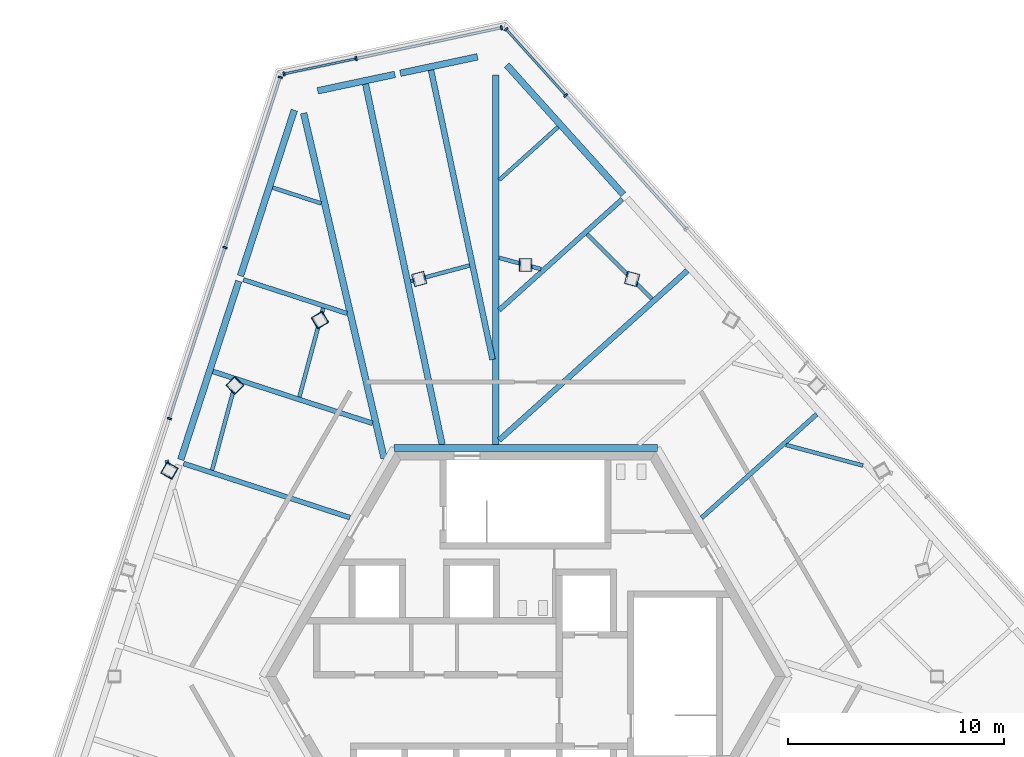
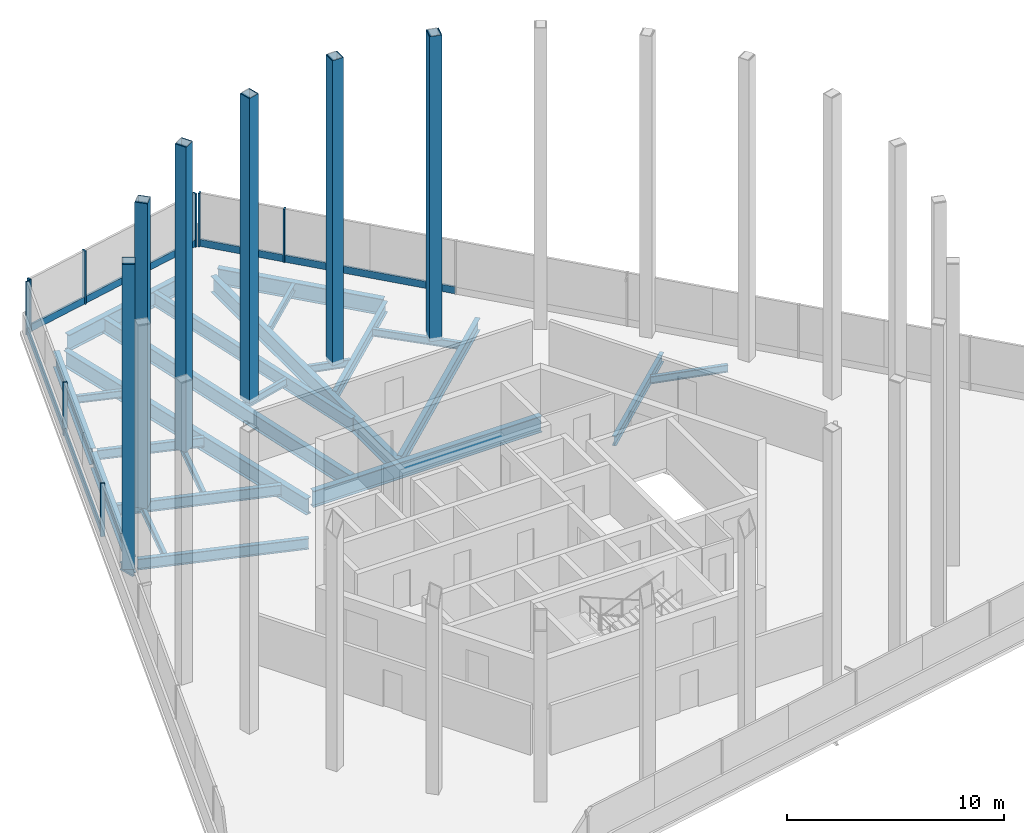
# One storey, part 4 of 11: 25 beams, 20 members, 3 elements without a shape of their own.
"""IFC4 building model written with IfcOpenShell, lengths in metres."""

from ifc_helpers import new_model, si_unit, direction, frame, origin, origin_2d, place, context, subcontext, project, spatial, rectangle, hollow_rectangle, i_section, extrude, source, transform, mapped, material, material_profile, profile_set, type_object, element, aggregate, save


model = new_model("IFC4")

# Units and contexts
model_context = context("Model", 3, precision=1e-05, world=origin(), true_north=direction((0.0, 1.0)))
body_context = subcontext(model_context, "Body", "Model", "MODEL_VIEW")
ifc_project = project(units=[si_unit("LENGTHUNIT", "METRE"), si_unit("AREAUNIT", "SQUARE_METRE"), si_unit("VOLUMEUNIT", "CUBIC_METRE"), si_unit("PLANEANGLEUNIT", "RADIAN"), si_unit("MASSUNIT", "GRAM", prefix="KILO")], contexts=[model_context])

# Site, building, storey
site_placement = place(None, origin())
site = spatial("IfcSite", under=ifc_project, at=site_placement, CompositionType="ELEMENT")
building_placement = place(site_placement, origin())
building = spatial("IfcBuilding", under=site, at=building_placement, Name="Triune Harvest Tower", CompositionType="ELEMENT")
storey_placement = place(building_placement, frame((0.0, 0.0, 296.699951171875)))
storey = spatial("IfcBuildingStorey", under=building, at=storey_placement, Name="L78", CompositionType="ELEMENT", Elevation=296.699951171875)

# Beams
ifc_material_1 = material(Name="Steel ASTM A992 Gr 50", Category="steel")
ifc_material_profile_1 = material_profile(ifc_material_1, i_section(OverallWidth=0.180908203125, OverallDepth=0.41650390625, WebThickness=0.010986328125, FlangeThickness=0.01806640625, at=origin_2d()), Name="W16x57")
ifc_profile_set_1 = profile_set([ifc_material_profile_1], Name="Steel ASTM A992 Gr 50")
beam_type_1 = type_object("IfcBeamType", Name="JT-1 Floor joist W16x57", PredefinedType="JOIST", material=ifc_profile_set_1)
beam_1_placement = place(storey_placement, frame((5.833251953125, 17.43701171875, -0.408203125), z_axis=(-0.707106781187, 0.707106781187, 0.0), x_axis=(-0.707106781187, -0.707106781187, 0.0)))
element("IfcBeam", 1, at=beam_1_placement, inside=storey, type_object=beam_type_1, Name="beam/L78/CR7", PredefinedType="JOIST", context=body_context, shape_type="SweptSolid", body=[
    extrude(i_section(OverallWidth=0.180908203125, OverallDepth=0.41650390625, WebThickness=0.010986328125, FlangeThickness=0.01806640625, at=origin_2d()), origin(), (0.0, 0.0, 1.0), 4.22802734375),
])
beam_2_placement = place(storey_placement, frame((0.706298828125, 18.810791015625, -0.408203125), z_axis=(-0.965924061689, 0.258825630592, 0.0), x_axis=(-0.258825630592, -0.965924061689, 0.0)))
element("IfcBeam", 2, at=beam_2_placement, inside=storey, type_object=beam_type_1, Name="beam/L78/CR8", PredefinedType="JOIST", context=body_context, shape_type="SweptSolid", body=[
    extrude(i_section(OverallWidth=0.180908203125, OverallDepth=0.41650390625, WebThickness=0.010986328125, FlangeThickness=0.01806640625, at=origin_2d()), origin(), (0.0, 0.0, 1.0), 1.998779296875),
])
beam_3_placement = place(storey_placement, frame((-2.588623046875, 18.9765625, -0.408203125), z_axis=(-0.965933743444, -0.258789496069, 0.0), x_axis=(0.258789496069, -0.965933743444, 0.0)))
element("IfcBeam", 3, at=beam_3_placement, inside=storey, type_object=beam_type_1, Name="beam/L78/CR9", PredefinedType="JOIST", context=body_context, shape_type="SweptSolid", body=[
    extrude(i_section(OverallWidth=0.180908203125, OverallDepth=0.41650390625, WebThickness=0.010986328125, FlangeThickness=0.01806640625, at=origin_2d()), origin(), (0.0, 0.0, 1.0), 2.81787109375),
])
ifc_material_2 = material(Name="Steel ASTM A992 Gr 50", Category="steel")
ifc_material_profile_2 = material_profile(ifc_material_2, i_section(OverallWidth=0.3046875, OverallDepth=0.914306640625, WebThickness=0.0166015625, FlangeThickness=0.02587890625, at=origin_2d()), Name="W36x160")
ifc_profile_set_2 = profile_set([ifc_material_profile_2], Name="Steel ASTM A992 Gr 50")
beam_type_2 = type_object("IfcBeamType", Name="CG-1 Core ring girder W36x160", PredefinedType="BEAM", material=ifc_profile_set_2)
shared_shape_1 = source(origin(), body_context, "Body", "SweptSolid", [
    extrude(i_section(OverallWidth=0.3046875, OverallDepth=0.914306640625, WebThickness=0.0166015625, FlangeThickness=0.02587890625, at=origin_2d()), origin(), (0.0, 0.0, 1.0), 12.17578125),
])
beam_4_placement = place(storey_placement, frame((6.087890625, 10.544677734375, -0.6572265625), z_axis=(-1.0, 0.0, 0.0), x_axis=(0.0, -1.0, 0.0)))
element("IfcBeam", 4, at=beam_4_placement, inside=storey, type_object=beam_type_2, Name="beam/L78/CG2", PredefinedType="BEAM", context=body_context, shape_type="MappedRepresentation", body=[
    mapped(shared_shape_1, transform((0.0, 0.0, 0.0), scale=1.0)),
])
ifc_material_3 = material(Name="Steel ASTM A992 Gr 50", Category="steel")
ifc_material_profile_3 = material_profile(ifc_material_3, i_section(OverallWidth=0.3046875, OverallDepth=0.914306640625, WebThickness=0.0166015625, FlangeThickness=0.02587890625, at=origin_2d()), Name="W36x160")
ifc_profile_set_3 = profile_set([ifc_material_profile_3], Name="Steel ASTM A992 Gr 50")
beam_type_3 = type_object("IfcBeamType", Name="SB-1 Spandrel beam W36x160", PredefinedType="SPANDREL", material=ifc_profile_set_3)
shared_shape_2 = source(origin(), body_context, "Body", "SweptSolid", [
    extrude(i_section(OverallWidth=0.3046875, OverallDepth=0.914306640625, WebThickness=0.0166015625, FlangeThickness=0.02587890625, at=origin_2d()), origin(), (0.0, 0.0, 1.0), 8.0498046875),
])
for number, where, z_axis, x_axis, name in (
    (5, (4.511474609375, 22.25537109375, -0.6572265625), (-0.669152382485, 0.743125217588, 0.0), (-0.743125217588, -0.669152382485, 0.0), "beam/L78/SB5"),
    (6, (-10.685791015625, 26.152099609375, -0.6572265625), (-0.30902160762, -0.951055017348, 0.0), (0.951055017348, -0.30902160762, 0.0), "beam/L78/SB8"),
):
    element("IfcBeam", number, at=place(storey_placement, frame(where, z_axis=z_axis, x_axis=x_axis)), inside=storey, type_object=beam_type_3, Name=name, PredefinedType="SPANDREL", context=body_context, shape_type="MappedRepresentation", body=[
        mapped(shared_shape_2, transform((0.0, 0.0, 0.0), scale=1.0)),
    ])
shared_shape_3 = source(origin(), body_context, "Body", "SweptSolid", [
    extrude(i_section(OverallWidth=0.3046875, OverallDepth=0.914306640625, WebThickness=0.0166015625, FlangeThickness=0.02587890625, at=origin_2d()), origin(), (0.0, 0.0, 1.0), 8.67138671875),
])
beam_5_placement = place(storey_placement, frame((-13.252685546875, 18.25244140625, -0.6572265625), z_axis=(-0.309022409974, -0.951054756643, 0.0), x_axis=(0.951054756643, -0.309022409974, 0.0)))
element("IfcBeam", 7, at=beam_5_placement, inside=storey, type_object=beam_type_3, Name="beam/L78/SB9", PredefinedType="SPANDREL", context=body_context, shape_type="MappedRepresentation", body=[
    mapped(shared_shape_3, transform((0.0, 0.0, 0.0), scale=1.0)),
])
shared_shape_4 = source(origin(), body_context, "Body", "SweptSolid", [
    extrude(i_section(OverallWidth=0.3046875, OverallDepth=0.914306640625, WebThickness=0.0166015625, FlangeThickness=0.02587890625, at=origin_2d()), origin(), (0.0, 0.0, 1.0), 3.645751953125),
])
beam_6_placement = place(storey_placement, frame((-2.223876953125, 28.61474609375, -0.6572265625), z_axis=(-0.978145063506, -0.207923627178, 0.0), x_axis=(0.207923627178, -0.978145063506, 0.0)))
element("IfcBeam", 8, at=beam_6_placement, inside=storey, type_object=beam_type_3, Name="beam/L78/SB6", PredefinedType="SPANDREL", context=body_context, shape_type="MappedRepresentation", body=[
    mapped(shared_shape_4, transform((0.0, 0.0, 0.0), scale=1.0)),
])
shared_shape_5 = source(origin(), body_context, "Body", "SweptSolid", [
    extrude(i_section(OverallWidth=0.3046875, OverallDepth=0.914306640625, WebThickness=0.0166015625, FlangeThickness=0.02587890625, at=origin_2d()), origin(), (0.0, 0.0, 1.0), 3.6455078125),
])
beam_7_placement = place(storey_placement, frame((-6.041015625, 27.803466796875, -0.6572265625), z_axis=(-0.978142168213, -0.207937247179, 0.0), x_axis=(0.207937247179, -0.978142168213, 0.0)))
element("IfcBeam", 9, at=beam_7_placement, inside=storey, type_object=beam_type_3, Name="beam/L78/SB7", PredefinedType="SPANDREL", context=body_context, shape_type="MappedRepresentation", body=[
    mapped(shared_shape_5, transform((0.0, 0.0, 0.0), scale=1.0)),
])
ifc_material_4 = material(Name="Steel ASTM A992 Gr 50", Category="steel")
ifc_material_profile_4 = material_profile(ifc_material_4, i_section(OverallWidth=0.3046875, OverallDepth=0.914306640625, WebThickness=0.0166015625, FlangeThickness=0.02587890625, at=origin_2d()), Name="W36x160")
ifc_profile_set_4 = profile_set([ifc_material_profile_4], Name="Steel ASTM A992 Gr 50")
beam_type_4 = type_object("IfcBeamType", Name="HG-3 Hip girder W36x160", PredefinedType="BEAM", material=ifc_profile_set_4)
shared_shape_6 = source(origin(), body_context, "Body", "SweptSolid", [
    extrude(i_section(OverallWidth=0.3046875, OverallDepth=0.914306640625, WebThickness=0.0166015625, FlangeThickness=0.02587890625, at=origin_2d()), origin(), (0.0, 0.0, 1.0), 17.088623046875),
])
beam_8_placement = place(storey_placement, frame((-1.376708984375, 27.78564453125, -0.6572265625), z_axis=(0.0, -1.0, 0.0), x_axis=(1.0, 0.0, 0.0)))
element("IfcBeam", 10, at=beam_8_placement, inside=storey, type_object=beam_type_4, Name="beam/L78/HG2", PredefinedType="BEAM", context=body_context, shape_type="MappedRepresentation", body=[
    mapped(shared_shape_6, transform((0.0, 0.0, 0.0), scale=1.0)),
])
shared_shape_7 = source(origin(), body_context, "Body", "SweptSolid", [
    extrude(i_section(OverallWidth=0.3046875, OverallDepth=0.914306640625, WebThickness=0.0166015625, FlangeThickness=0.02587890625, at=origin_2d()), origin(), (0.0, 0.0, 1.0), 16.37060546875),
])
beam_9_placement = place(storey_placement, frame((-10.255126953125, 26.01220703125, -0.6572265625), z_axis=(0.227026417792, -0.973888600213, 0.0), x_axis=(0.973888600213, 0.227026417792, 0.0)))
element("IfcBeam", 11, at=beam_9_placement, inside=storey, type_object=beam_type_4, Name="beam/L78/HG3", PredefinedType="BEAM", context=body_context, shape_type="MappedRepresentation", body=[
    mapped(shared_shape_7, transform((0.0, 0.0, 0.0), scale=1.0)),
])
ifc_material_5 = material(Name="Steel ASTM A992 Gr 50", Category="steel")
ifc_material_profile_5 = material_profile(ifc_material_5, i_section(OverallWidth=0.22900390625, OverallDepth=0.612060546875, WebThickness=0.011962890625, FlangeThickness=0.01953125, at=origin_2d()), Name="W24x84")
ifc_profile_set_5 = profile_set([ifc_material_profile_5], Name="Steel ASTM A992 Gr 50")
beam_type_5 = type_object("IfcBeamType", Name="JT-3 Floor joist W24x84", PredefinedType="JOIST", material=ifc_profile_set_5)
shared_shape_8 = source(origin(), body_context, "Body", "SweptSolid", [
    extrude(i_section(OverallWidth=0.22900390625, OverallDepth=0.612060546875, WebThickness=0.011962890625, FlangeThickness=0.01953125, at=origin_2d()), origin(), (0.0, 0.0, 1.0), 7.755126953125),
])
beam_10_placement = place(storey_placement, frame((-14.447509765625, 14.081787109375, -0.506103515625), z_axis=(0.951054888115, -0.309022005354, 0.0), x_axis=(0.309022005354, 0.951054888115, 0.0)))
element("IfcBeam", 12, at=beam_10_placement, inside=storey, type_object=beam_type_5, Name="beam/L78/JT14", PredefinedType="JOIST", context=body_context, shape_type="MappedRepresentation", body=[
    mapped(shared_shape_8, transform((0.0, 0.0, 0.0), scale=1.0)),
])
ifc_material_6 = material(Name="Steel ASTM A992 Gr 50", Category="steel")
ifc_material_profile_6 = material_profile(ifc_material_6, i_section(OverallWidth=0.2099609375, OverallDepth=0.535888671875, WebThickness=0.010986328125, FlangeThickness=0.017333984375, at=origin_2d()), Name="W21x68")
ifc_profile_set_6 = profile_set([ifc_material_profile_6], Name="Steel ASTM A992 Gr 50")
beam_type_6 = type_object("IfcBeamType", Name="JT-2 Floor joist W21x68", PredefinedType="JOIST", material=ifc_profile_set_6)
shared_shape_9 = source(origin(), body_context, "Body", "SweptSolid", [
    extrude(i_section(OverallWidth=0.2099609375, OverallDepth=0.535888671875, WebThickness=0.010986328125, FlangeThickness=0.017333984375, at=origin_2d()), origin(), (0.0, 0.0, 1.0), 7.155517578125),
])
beam_11_placement = place(storey_placement, frame((13.44482421875, 12.105712890625, -0.468017578125), z_axis=(-0.743139743978, -0.669136249892, 0.0), x_axis=(0.669136249892, -0.743139743978, 0.0)))
element("IfcBeam", 13, at=beam_11_placement, inside=storey, type_object=beam_type_6, Name="beam/L78/JT5", PredefinedType="JOIST", context=body_context, shape_type="MappedRepresentation", body=[
    mapped(shared_shape_9, transform((0.0, 0.0, 0.0), scale=1.0)),
])
ifc_material_7 = material(Name="Steel ASTM A992 Gr 50", Category="steel")
ifc_material_profile_7 = material_profile(ifc_material_7, i_section(OverallWidth=0.253662109375, OverallDepth=0.683349609375, WebThickness=0.012451171875, FlangeThickness=0.01904296875, at=origin_2d()), Name="W27x94")
ifc_profile_set_7 = profile_set([ifc_material_profile_7], Name="Steel ASTM A992 Gr 50")
beam_type_7 = type_object("IfcBeamType", Name="JT-4 Floor joist W27x94", PredefinedType="JOIST", material=ifc_profile_set_7)
shared_shape_10 = source(origin(), body_context, "Body", "SweptSolid", [
    extrude(i_section(OverallWidth=0.253662109375, OverallDepth=0.683349609375, WebThickness=0.012451171875, FlangeThickness=0.01904296875, at=origin_2d()), origin(), (0.0, 0.0, 1.0), 11.70068359375),
])
beam_12_placement = place(storey_placement, frame((7.470947265625, 18.740478515625, -0.54150390625), z_axis=(-0.743153026809, -0.669121497745, 0.0), x_axis=(0.669121497745, -0.743153026809, 0.0)))
element("IfcBeam", 14, at=beam_12_placement, inside=storey, type_object=beam_type_7, Name="beam/L78/JT7", PredefinedType="JOIST", context=body_context, shape_type="MappedRepresentation", body=[
    mapped(shared_shape_10, transform((0.0, 0.0, 0.0), scale=1.0)),
])
shared_shape_11 = source(origin(), body_context, "Body", "SweptSolid", [
    extrude(i_section(OverallWidth=0.22900390625, OverallDepth=0.612060546875, WebThickness=0.011962890625, FlangeThickness=0.01953125, at=origin_2d()), origin(), (0.0, 0.0, 1.0), 7.6533203125),
])
beam_13_placement = place(storey_placement, frame((4.463134765625, 22.039306640625, -0.506103515625), z_axis=(-0.74314185307, -0.669133907537, 0.0), x_axis=(0.669133907537, -0.74314185307, 0.0)))
element("IfcBeam", 15, at=beam_13_placement, inside=storey, type_object=beam_type_5, Name="beam/L78/JT8", PredefinedType="JOIST", context=body_context, shape_type="MappedRepresentation", body=[
    mapped(shared_shape_11, transform((0.0, 0.0, 0.0), scale=1.0)),
])
shared_shape_12 = source(origin(), body_context, "Body", "SweptSolid", [
    extrude(i_section(OverallWidth=0.180908203125, OverallDepth=0.41650390625, WebThickness=0.010986328125, FlangeThickness=0.01806640625, at=origin_2d()), origin(), (0.0, 0.0, 1.0), 3.661865234375),
])
beam_14_placement = place(storey_placement, frame((1.496826171875, 25.37548828125, -0.408203125), z_axis=(-0.743108471823, -0.669170978977, 0.0), x_axis=(0.669170978977, -0.743108471823, 0.0)))
element("IfcBeam", 16, at=beam_14_placement, inside=storey, type_object=beam_type_1, Name="beam/L78/JT9", PredefinedType="JOIST", context=body_context, shape_type="MappedRepresentation", body=[
    mapped(shared_shape_12, transform((0.0, 0.0, 0.0), scale=1.0)),
])
ifc_material_8 = material(Name="Steel ASTM A992 Gr 50", Category="steel")
ifc_material_profile_8 = material_profile(ifc_material_8, i_section(OverallWidth=0.2666015625, OverallDepth=0.7568359375, WebThickness=0.013916015625, FlangeThickness=0.019287109375, at=origin_2d()), Name="W30x108")
ifc_profile_set_8 = profile_set([ifc_material_profile_8], Name="Steel ASTM A992 Gr 50")
beam_type_8 = type_object("IfcBeamType", Name="JT-5 Floor joist W30x108", PredefinedType="JOIST", material=ifc_profile_set_8)
shared_shape_13 = source(origin(), body_context, "Body", "SweptSolid", [
    extrude(i_section(OverallWidth=0.2666015625, OverallDepth=0.7568359375, WebThickness=0.013916015625, FlangeThickness=0.019287109375, at=origin_2d()), origin(), (0.0, 0.0, 1.0), 13.66796875),
])
beam_15_placement = place(storey_placement, frame((-4.370849609375, 28.002685546875, -0.578369140625), z_axis=(0.207897850023, -0.978150542583, 0.0), x_axis=(0.978150542583, 0.207897850023, 0.0)))
element("IfcBeam", 17, at=beam_15_placement, inside=storey, type_object=beam_type_8, Name="beam/L78/JT10", PredefinedType="JOIST", context=body_context, shape_type="MappedRepresentation", body=[
    mapped(shared_shape_13, transform((0.0, 0.0, 0.0), scale=1.0)),
])
ifc_material_9 = material(Name="Steel ASTM A992 Gr 50", Category="steel")
ifc_material_profile_9 = material_profile(ifc_material_9, i_section(OverallWidth=0.2919921875, OverallDepth=0.8408203125, WebThickness=0.0146484375, FlangeThickness=0.021728515625, at=origin_2d()), Name="W33x130")
ifc_profile_set_9 = profile_set([ifc_material_profile_9], Name="Steel ASTM A992 Gr 50")
beam_type_9 = type_object("IfcBeamType", Name="JT-6 Floor joist W33x130", PredefinedType="JOIST", material=ifc_profile_set_9)
shared_shape_14 = source(origin(), body_context, "Body", "SweptSolid", [
    extrude(i_section(OverallWidth=0.2919921875, OverallDepth=0.8408203125, WebThickness=0.0146484375, FlangeThickness=0.021728515625, at=origin_2d()), origin(), (0.0, 0.0, 1.0), 17.034912109375),
])
beam_16_placement = place(storey_placement, frame((-7.396728515625, 27.359619140625, -0.620361328125), z_axis=(0.207911891923, -0.978147557988, 0.0), x_axis=(0.978147557988, 0.207911891923, 0.0)))
element("IfcBeam", 18, at=beam_16_placement, inside=storey, type_object=beam_type_9, Name="beam/L78/JT11", PredefinedType="JOIST", context=body_context, shape_type="MappedRepresentation", body=[
    mapped(shared_shape_14, transform((0.0, 0.0, 0.0), scale=1.0)),
])
shared_shape_15 = source(origin(), body_context, "Body", "SweptSolid", [
    extrude(i_section(OverallWidth=0.180908203125, OverallDepth=0.41650390625, WebThickness=0.010986328125, FlangeThickness=0.01806640625, at=origin_2d()), origin(), (0.0, 0.0, 1.0), 2.36474609375),
])
beam_17_placement = place(storey_placement, frame((-11.688720703125, 22.57275390625, -0.408203125), z_axis=(0.951061378221, -0.309002030505, 0.0), x_axis=(0.309002030505, 0.951061378221, 0.0)))
element("IfcBeam", 19, at=beam_17_placement, inside=storey, type_object=beam_type_1, Name="beam/L78/JT12", PredefinedType="JOIST", context=body_context, shape_type="MappedRepresentation", body=[
    mapped(shared_shape_15, transform((0.0, 0.0, 0.0), scale=1.0)),
])
shared_shape_16 = source(origin(), body_context, "Body", "SweptSolid", [
    extrude(i_section(OverallWidth=0.2099609375, OverallDepth=0.535888671875, WebThickness=0.010986328125, FlangeThickness=0.017333984375, at=origin_2d()), origin(), (0.0, 0.0, 1.0), 5.0322265625),
])
beam_18_placement = place(storey_placement, frame((-13.04150390625, 18.318603515625, -0.468017578125), z_axis=(0.951062231031, -0.308999405674, 0.0), x_axis=(0.308999405674, 0.951062231031, 0.0)))
element("IfcBeam", 20, at=beam_18_placement, inside=storey, type_object=beam_type_6, Name="beam/L78/JT13", PredefinedType="JOIST", context=body_context, shape_type="MappedRepresentation", body=[
    mapped(shared_shape_16, transform((0.0, 0.0, 0.0), scale=1.0)),
])
shared_shape_17 = source(origin(), body_context, "Body", "SweptSolid", [
    extrude(i_section(OverallWidth=0.22900390625, OverallDepth=0.612060546875, WebThickness=0.011962890625, FlangeThickness=0.01953125, at=origin_2d()), origin(), (0.0, 0.0, 1.0), 8.07666015625),
])
beam_19_placement = place(storey_placement, frame((-15.80029296875, 9.82763671875, -0.506103515625), z_axis=(0.951056057917, -0.309018405114, 0.0), x_axis=(0.309018405114, 0.951056057917, 0.0)))
element("IfcBeam", 21, at=beam_19_placement, inside=storey, type_object=beam_type_5, Name="beam/L78/JT15", PredefinedType="JOIST", context=body_context, shape_type="MappedRepresentation", body=[
    mapped(shared_shape_17, transform((0.0, 0.0, 0.0), scale=1.0)),
])
shared_shape_18 = source(origin(), body_context, "Body", "SweptSolid", [
    extrude(i_section(OverallWidth=0.180908203125, OverallDepth=0.41650390625, WebThickness=0.010986328125, FlangeThickness=0.01806640625, at=origin_2d()), origin(), (0.0, 0.0, 1.0), 4.250244140625),
])
beam_20_placement = place(storey_placement, frame((-9.351318359375, 17.00927734375, -0.408203125), z_axis=(-0.258827961889, -0.965923436999, 0.0), x_axis=(0.965923436999, -0.258827961889, 0.0)))
element("IfcBeam", 22, at=beam_20_placement, inside=storey, type_object=beam_type_1, Name="beam/L78/CR10", PredefinedType="JOIST", context=body_context, shape_type="MappedRepresentation", body=[
    mapped(shared_shape_18, transform((0.0, 0.0, 0.0), scale=1.0)),
])
ifc_material_10 = material(Name="Steel ASTM A992 Gr 50", Category="steel")
ifc_material_profile_10 = material_profile(ifc_material_10, i_section(OverallWidth=0.180908203125, OverallDepth=0.41650390625, WebThickness=0.010986328125, FlangeThickness=0.01806640625, at=origin_2d()), Name="W16x57")
ifc_profile_set_10 = profile_set([ifc_material_profile_10], Name="Steel ASTM A992 Gr 50")
beam_type_10 = type_object("IfcBeamType", Name="CJ-1 Crown deck joist W16x57", PredefinedType="JOIST", material=ifc_profile_set_10)
shared_shape_19 = source(origin(), body_context, "Body", "SweptSolid", [
    extrude(i_section(OverallWidth=0.180908203125, OverallDepth=0.41650390625, WebThickness=0.010986328125, FlangeThickness=0.01806640625, at=origin_2d()), origin(), (0.0, 0.0, 1.0), 0.845458984375),
])
beam_21_placement = place(storey_placement, frame((-16.364990234375, 9.166259765625, -0.408203125), z_axis=(-0.25901030733, 0.965874557433, 0.0), x_axis=(-0.965874557433, -0.25901030733, 0.0)))
element("IfcBeam", 23, at=beam_21_placement, inside=storey, type_object=beam_type_10, Name="beam/L78/CR12", PredefinedType="JOIST", context=body_context, shape_type="MappedRepresentation", body=[
    mapped(shared_shape_19, transform((0.0, 0.0, 0.0), scale=1.0)),
])
shared_shape_20 = source(origin(), body_context, "Body", "SweptSolid", [
    extrude(i_section(OverallWidth=0.180908203125, OverallDepth=0.41650390625, WebThickness=0.010986328125, FlangeThickness=0.01806640625, at=origin_2d()), origin(), (0.0, 0.0, 1.0), 3.679931640625),
])
beam_22_placement = place(storey_placement, frame((15.580322265625, 9.734130859375, -0.408203125), z_axis=(-0.965910437498, 0.258876470026, 0.0), x_axis=(-0.258876470026, -0.965910437498, 0.0)))
element("IfcBeam", 24, at=beam_22_placement, inside=storey, type_object=beam_type_1, Name="beam/L78/CR4", PredefinedType="JOIST", context=body_context, shape_type="MappedRepresentation", body=[
    mapped(shared_shape_20, transform((0.0, 0.0, 0.0), scale=1.0)),
])
shared_shape_21 = source(origin(), body_context, "Body", "SweptSolid", [
    extrude(i_section(OverallWidth=0.180908203125, OverallDepth=0.41650390625, WebThickness=0.010986328125, FlangeThickness=0.01806640625, at=origin_2d()), origin(), (0.0, 0.0, 1.0), 4.24072265625),
])
beam_23_placement = place(storey_placement, frame((-13.386474609375, 13.616455078125, -0.408203125), z_axis=(-0.258784046909, -0.965935203347, 0.0), x_axis=(0.965935203347, -0.258784046909, 0.0)))
element("IfcBeam", 25, at=beam_23_placement, inside=storey, type_object=beam_type_1, Name="beam/L78/CR11", PredefinedType="JOIST", context=body_context, shape_type="MappedRepresentation", body=[
    mapped(shared_shape_21, transform((0.0, 0.0, 0.0), scale=1.0)),
])

# Curtain wall, members
ifc_material_11 = material(Name="Aluminium bronze anodised", Category="aluminium")
curtain_wall_type = type_object("IfcCurtainWallType", Name="CW-5 Plant louvre wall", PredefinedType="NOTDEFINED", material=ifc_material_11)
curtain_wall_1_placement = place(storey_placement, origin())
curtain_wall_1 = element("IfcCurtainWall", 26, at=curtain_wall_1_placement, inside=storey, type_object=curtain_wall_type, Name="CW-5 CP-F1 L78 run 1")
ifc_material_12 = material(Name="Aluminium bronze anodised", Category="aluminium")
ifc_material_profile_11 = material_profile(ifc_material_12, rectangle(XDim=0.199951171875, YDim=0.080078125, at=origin_2d()), Name="MU-5 mullion 80 x 200")
ifc_profile_set_11 = profile_set([ifc_material_profile_11], Name="Aluminium bronze anodised")
member_type_1 = type_object("IfcMemberType", Name="MU-5 mullion 80 x 200", PredefinedType="MULLION", material=ifc_profile_set_11)
shared_shape_22 = source(origin(), body_context, "Body", "SweptSolid", [
    extrude(rectangle(XDim=0.199951171875, YDim=0.080078125, at=origin_2d()), origin(), (0.0, 0.0, 1.0), 3.0),
])
member_1_placement = place(storey_placement, frame((1.8515625, 26.831787109375, 0.0), z_axis=(0.0, 0.0, 1.0), x_axis=(-0.743144068463, -0.669131447108, 0.0)))
member_1 = element("IfcMember", 27, at=member_1_placement, type_object=member_type_1, Name="CW-5 mullion CP-F1 1.11", PredefinedType="MULLION", context=body_context, shape_type="MappedRepresentation", body=[
    mapped(shared_shape_22, transform((0.0, 0.0, 0.0), scale=1.0)),
])
member_2_placement = place(storey_placement, frame((-0.90234375, 29.890380859375, 0.0), z_axis=(0.0, 0.0, 1.0), x_axis=(-0.743144068463, -0.669131447108, 0.0)))
member_2 = element("IfcMember", 28, at=member_2_placement, type_object=member_type_1, Name="CW-5 mullion CP-F1 1.12", PredefinedType="MULLION", context=body_context, shape_type="MappedRepresentation", body=[
    mapped(shared_shape_22, transform((0.0, 0.0, 0.0), scale=1.0)),
])

curtain_wall_2_placement = place(storey_placement, origin())
curtain_wall_2 = element("IfcCurtainWall", 29, at=curtain_wall_2_placement, inside=storey, type_object=curtain_wall_type, Name="CW-5 CP-F2 L78 run 1")
member_3_placement = place(storey_placement, frame((-1.116455078125, 29.9599609375, 0.0), z_axis=(0.0, 0.0, 1.0), x_axis=(0.207904739307, -0.978149078297, 0.0)))
member_3 = element("IfcMember", 30, at=member_3_placement, type_object=member_type_1, Name="CW-5 mullion CP-F2 1.1", PredefinedType="MULLION", context=body_context, shape_type="MappedRepresentation", body=[
    mapped(shared_shape_22, transform((0.0, 0.0, 0.0), scale=1.0)),
])
member_4_placement = place(storey_placement, frame((-7.8291015625, 28.533203125, 0.0), z_axis=(0.0, 0.0, 1.0), x_axis=(0.207904739307, -0.978149078297, 0.0)))
member_4 = element("IfcMember", 31, at=member_4_placement, type_object=member_type_1, Name="CW-5 mullion CP-F2 1.3", PredefinedType="MULLION", context=body_context, shape_type="MappedRepresentation", body=[
    mapped(shared_shape_22, transform((0.0, 0.0, 0.0), scale=1.0)),
])
member_5_placement = place(storey_placement, frame((-11.165771484375, 27.823974609375, 0.0), z_axis=(0.0, 0.0, 1.0), x_axis=(0.207904739307, -0.978149078297, 0.0)))
member_5 = element("IfcMember", 32, at=member_5_placement, type_object=member_type_1, Name="CW-5 mullion CP-F2 1.4", PredefinedType="MULLION", context=body_context, shape_type="MappedRepresentation", body=[
    mapped(shared_shape_22, transform((0.0, 0.0, 0.0), scale=1.0)),
])

curtain_wall_3_placement = place(storey_placement, origin())
curtain_wall_3 = element("IfcCurtainWall", 33, at=curtain_wall_3_placement, inside=storey, type_object=curtain_wall_type, Name="CW-5 CP-F3 L78 run 1")
member_6_placement = place(storey_placement, frame((-11.3330078125, 27.67333984375, 0.0), z_axis=(0.0, 0.0, 1.0), x_axis=(0.951056724042, -0.309016354995, 0.0)))
member_6 = element("IfcMember", 34, at=member_6_placement, type_object=member_type_1, Name="CW-5 mullion CP-F3 1.1", PredefinedType="MULLION", context=body_context, shape_type="MappedRepresentation", body=[
    mapped(shared_shape_22, transform((0.0, 0.0, 0.0), scale=1.0)),
])
member_7_placement = place(storey_placement, frame((-13.88916015625, 19.806640625, 0.0), z_axis=(0.0, 0.0, 1.0), x_axis=(0.951056724042, -0.309016354995, 0.0)))
member_7 = element("IfcMember", 35, at=member_7_placement, type_object=member_type_1, Name="CW-5 mullion CP-F3 1.3", PredefinedType="MULLION", context=body_context, shape_type="MappedRepresentation", body=[
    mapped(shared_shape_22, transform((0.0, 0.0, 0.0), scale=1.0)),
])
member_8_placement = place(storey_placement, frame((-16.45751953125, 11.90185546875, 0.0), z_axis=(0.0, 0.0, 1.0), x_axis=(0.951056724042, -0.309016354995, 0.0)))
member_8 = element("IfcMember", 36, at=member_8_placement, type_object=member_type_1, Name="CW-5 mullion CP-F3 1.5", PredefinedType="MULLION", context=body_context, shape_type="MappedRepresentation", body=[
    mapped(shared_shape_22, transform((0.0, 0.0, 0.0), scale=1.0)),
])
ifc_material_13 = material(Name="Aluminium bronze anodised", Category="aluminium")
ifc_material_profile_12 = material_profile(ifc_material_13, rectangle(XDim=0.10009765625, YDim=0.39990234375, at=origin_2d()), Name="TR-5 transom 100 x 400")
ifc_profile_set_12 = profile_set([ifc_material_profile_12], Name="Aluminium bronze anodised")
member_type_2 = type_object("IfcMemberType", Name="TR-5 transom 100 x 400", PredefinedType="USERDEFINED", material=ifc_profile_set_12)
shared_shape_23 = source(origin(), body_context, "Body", "SweptSolid", [
    extrude(rectangle(XDim=0.10009765625, YDim=0.39990234375, at=origin_2d()), origin(), (0.0, 0.0, 1.0), 8.19140625),
])
member_9_placement = place(storey_placement, frame((-11.345458984375, 27.63525390625, 0.199951171875), z_axis=(-0.309011939501, -0.951058158708, 0.0), x_axis=(0.951058158708, -0.309011939501, 0.0)))
member_9 = element("IfcMember", 37, at=member_9_placement, type_object=member_type_2, Name="CW-5 transom CP-F3 1.1", ObjectType="TRANSOM", PredefinedType="USERDEFINED", context=body_context, shape_type="MappedRepresentation", body=[
    mapped(shared_shape_23, transform((0.0, 0.0, 0.0), scale=1.0)),
])

# Member
shared_shape_24 = source(origin(), body_context, "Body", "SweptSolid", [
    extrude(rectangle(XDim=0.10009765625, YDim=0.39990234375, at=origin_2d()), origin(), (0.0, 0.0, 1.0), 8.2314453125),
])
member_10_placement = place(storey_placement, frame((7.38623046875, 20.684814453125, 0.199951171875), z_axis=(-0.669122027567, 0.743152549766, 0.0), x_axis=(-0.743152549766, -0.669122027567, 0.0)))
member_10 = element("IfcMember", 38, at=member_10_placement, type_object=member_type_2, Name="CW-5 transom CP-F1 1.5", ObjectType="TRANSOM", PredefinedType="USERDEFINED", context=body_context, shape_type="MappedRepresentation", body=[
    mapped(shared_shape_24, transform((0.0, 0.0, 0.0), scale=1.0)),
])

member_11_placement = place(storey_placement, frame((-13.9013671875, 19.7685546875, 0.199951171875), z_axis=(-0.309020348313, -0.951055426528, 0.0), x_axis=(0.951055426528, -0.309020348313, 0.0)))
member_11 = element("IfcMember", 39, at=member_11_placement, type_object=member_type_2, Name="CW-5 transom CP-F3 1.2", ObjectType="TRANSOM", PredefinedType="USERDEFINED", context=body_context, shape_type="MappedRepresentation", body=[
    mapped(shared_shape_24, transform((0.0, 0.0, 0.0), scale=1.0)),
])

aggregate(curtain_wall_3, [member_6, member_7, member_8, member_9, member_11])

shared_shape_25 = source(origin(), body_context, "Body", "SweptSolid", [
    extrude(rectangle(XDim=0.10009765625, YDim=0.39990234375, at=origin_2d()), origin(), (0.0, 0.0, 1.0), 4.03564453125),
])
member_12_placement = place(storey_placement, frame((1.82470703125, 26.861572265625, 0.199951171875), z_axis=(-0.669145196919, 0.743131687818, 0.0), x_axis=(-0.743131687818, -0.669145196919, 0.0)))
member_12 = element("IfcMember", 40, at=member_12_placement, type_object=member_type_2, Name="CW-5 transom CP-F1 1.6", ObjectType="TRANSOM", PredefinedType="USERDEFINED", context=body_context, shape_type="MappedRepresentation", body=[
    mapped(shared_shape_25, transform((0.0, 0.0, 0.0), scale=1.0)),
])

aggregate(curtain_wall_1, [member_1, member_2, member_10, member_12])

shared_shape_26 = source(origin(), body_context, "Body", "SweptSolid", [
    extrude(rectangle(XDim=0.10009765625, YDim=0.39990234375, at=origin_2d()), origin(), (0.0, 0.0, 1.0), 6.782470703125),
])
member_13_placement = place(storey_placement, frame((-1.15576171875, 29.95166015625, 0.199951171875), z_axis=(-0.978147688628, -0.207911277306, 0.0), x_axis=(0.207911277306, -0.978147688628, 0.0)))
member_13 = element("IfcMember", 41, at=member_13_placement, type_object=member_type_2, Name="CW-5 transom CP-F2 1.1", ObjectType="TRANSOM", PredefinedType="USERDEFINED", context=body_context, shape_type="MappedRepresentation", body=[
    mapped(shared_shape_26, transform((0.0, 0.0, 0.0), scale=1.0)),
])

shared_shape_27 = source(origin(), body_context, "Body", "SweptSolid", [
    extrude(rectangle(XDim=0.10009765625, YDim=0.39990234375, at=origin_2d()), origin(), (0.0, 0.0, 1.0), 3.331298828125),
])
member_14_placement = place(storey_placement, frame((-7.8681640625, 28.52490234375, 0.199951171875), z_axis=(-0.978147487889, -0.207912221708, 0.0), x_axis=(0.207912221708, -0.978147487889, 0.0)))
member_14 = element("IfcMember", 42, at=member_14_placement, type_object=member_type_2, Name="CW-5 transom CP-F2 1.2", ObjectType="TRANSOM", PredefinedType="USERDEFINED", context=body_context, shape_type="MappedRepresentation", body=[
    mapped(shared_shape_27, transform((0.0, 0.0, 0.0), scale=1.0)),
])

aggregate(curtain_wall_2, [member_3, member_4, member_5, member_13, member_14])

# Members
ifc_material_14 = material(Name="Steel ASTM A572 Gr 50", Category="steel")
ifc_material_profile_13 = material_profile(ifc_material_14, hollow_rectangle(XDim=0.60009765625, YDim=0.60009765625, WallThickness=0.030029296875, at=origin_2d()), Name="Box 600x600x30")
ifc_profile_set_13 = profile_set([ifc_material_profile_13], Name="Steel ASTM A572 Gr 50")
member_type_3 = type_object("IfcMemberType", Name="CF-1 Crown frame column Box 600x600x30", PredefinedType="POST", material=ifc_profile_set_13)
shared_shape_28 = source(origin(), body_context, "Body", "SweptSolid", [
    extrude(hollow_rectangle(XDim=0.60009765625, YDim=0.60009765625, WallThickness=0.030029296875, at=origin_2d()), origin(), (0.0, 0.0, 1.0), 17.175048828125),
])
for number, where, z_axis, x_axis, name in (
    (43, (4.91748046875, 18.3525390625, -0.199951171875), (0.0, 0.0, 1.0), (-0.965925826289, 0.258819045103, 0.0), "CROWN FRAME post 6"),
    (44, (0.0, 19.0, -0.199951171875), (0.0, 0.0, 1.0), (-1.0, 0.0, 0.0), "CROWN FRAME post 7"),
    (45, (-4.91748046875, 18.3525390625, -0.199951171875), (0.0, 0.0, 1.0), (-0.965925826289, -0.258819045103, 0.0), "CROWN FRAME post 8"),
    (46, (-9.5, 16.45458984375, -0.199951171875), (0.0, 0.0, 1.0), (-0.866025403784, -0.5, 0.0), "CROWN FRAME post 9"),
    (47, (-13.43505859375, 13.43505859375, -0.199951171875), (0.0, 0.0, 1.0), (-0.707106781187, -0.707106781187, 0.0), "CROWN FRAME post 10"),
    (48, (-16.45458984375, 9.5, -0.199951171875), (0.0, 0.0, 1.0), (-0.5, -0.866025403784, 0.0), "CROWN FRAME post 11"),
):
    element("IfcMember", number, at=place(storey_placement, frame(where, z_axis=z_axis, x_axis=x_axis)), inside=storey, type_object=member_type_3, Name=name, PredefinedType="POST", context=body_context, shape_type="MappedRepresentation", body=[
        mapped(shared_shape_28, transform((0.0, 0.0, 0.0), scale=1.0)),
    ])

save(model, "model.ifc")
